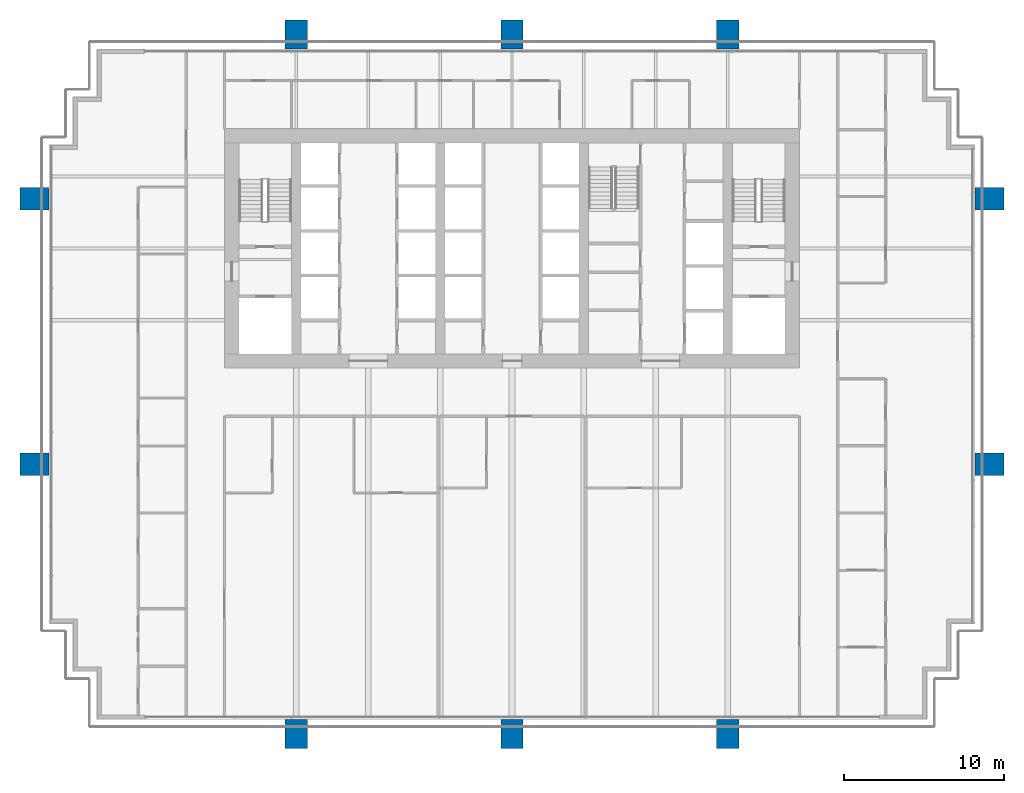
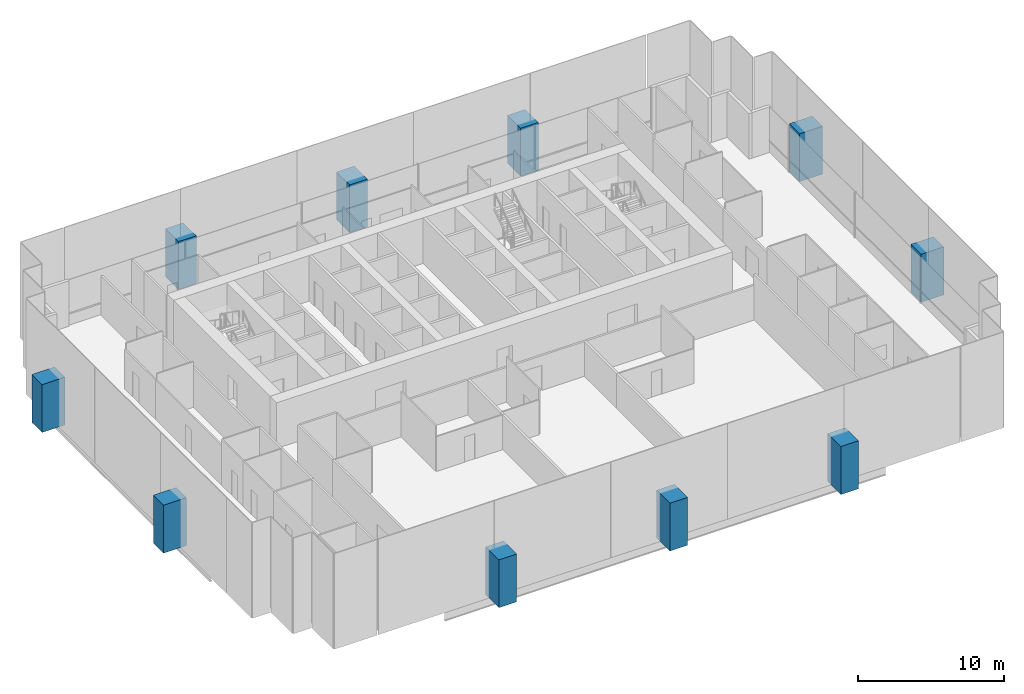
# One storey, part 1 of 17: 10 columns.
"""IFC4 building model written with IfcOpenShell, lengths in metres."""

from ifc_helpers import new_model, si_unit, direction, frame, origin, origin_2d, place, context, subcontext, project, spatial, rectangle, extrude, material, material_profile, profile_set, type_object, element, save


model = new_model("IFC4")

# Units and contexts
model_context = context("Model", 3, precision=1e-05, world=origin(), true_north=direction((0.0, 1.0)))
body_context = subcontext(model_context, "Body", "Model", "MODEL_VIEW")
ifc_project = project(units=[si_unit("LENGTHUNIT", "METRE"), si_unit("AREAUNIT", "SQUARE_METRE"), si_unit("VOLUMEUNIT", "CUBIC_METRE"), si_unit("PLANEANGLEUNIT", "RADIAN"), si_unit("MASSUNIT", "GRAM", prefix="KILO")], contexts=[model_context])

# Site, building, storey
site_placement = place(None, origin())
site = spatial("IfcSite", under=ifc_project, at=site_placement, CompositionType="ELEMENT")
building_placement = place(site_placement, origin())
building = spatial("IfcBuilding", under=site, at=building_placement, Name="Rattan Terrace Tower", CompositionType="ELEMENT")
storey_placement = place(building_placement, frame((0.0, 0.0, 138.10009765625)))
storey = spatial("IfcBuildingStorey", under=building, at=storey_placement, Name="L31", CompositionType="ELEMENT", Elevation=138.10009765625)

# Columns
ifc_material = material(Name="Concrete C50/60", Category="concrete")
ifc_material_profile = material_profile(ifc_material, rectangle(XDim=1.39990234375, YDim=1.800048828125, at=origin_2d()), Name="CFT 1800x1400")
ifc_profile_set = profile_set([ifc_material_profile], Name="Concrete C50/60")
column_type = type_object("IfcColumnType", Name="Frame exoskeleton column CFT 1800x1400", PredefinedType="COLUMN", material=ifc_profile_set)
for number, where, z_axis, x_axis, name in (
    (1, (-13.5, -30.39990234375, -0.2001953125), (0.0, 0.0, 1.0), (1.0, 0.0, 0.0), "exo-L31-001"),
    (2, (0.0, -30.39990234375, -0.2001953125), (0.0, 0.0, 1.0), (1.0, 0.0, 0.0), "exo-L31-002"),
    (3, (13.5, -30.39990234375, -0.2001953125), (0.0, 0.0, 1.0), (1.0, 0.0, 0.0), "exo-L31-003"),
    (4, (-29.89990234375, -13.5, -0.2001953125), (0.0, 0.0, 1.0), (0.0, 1.0, 0.0), "exo-L31-004"),
    (5, (29.89990234375, -13.5, -0.2001953125), (0.0, 0.0, 1.0), (0.0, 1.0, 0.0), "exo-L31-005"),
    (6, (-29.89990234375, 3.10009765625, -0.2001953125), (0.0, 0.0, 1.0), (0.0, 1.0, 0.0), "exo-L31-006"),
    (7, (29.89990234375, 3.10009765625, -0.2001953125), (0.0, 0.0, 1.0), (0.0, 1.0, 0.0), "exo-L31-007"),
    (8, (-13.5, 13.39990234375, -0.2001953125), (0.0, 0.0, 1.0), (1.0, 0.0, 0.0), "exo-L31-008"),
    (9, (0.0, 13.39990234375, -0.2001953125), (0.0, 0.0, 1.0), (1.0, 0.0, 0.0), "exo-L31-009"),
    (10, (13.5, 13.39990234375, -0.2001953125), (0.0, 0.0, 1.0), (1.0, 0.0, 0.0), "exo-L31-010"),
):
    element("IfcColumn", number, at=place(storey_placement, frame(where, z_axis=z_axis, x_axis=x_axis)), inside=storey, type_object=column_type, Name=name, PredefinedType="COLUMN", context=body_context, shape_type="SweptSolid", body=[
        extrude(rectangle(XDim=1.39990234375, YDim=1.800048828125, at=origin_2d()), origin(), (0.0, 0.0, 1.0), 4.0),
    ])

save(model, "model.ifc")
